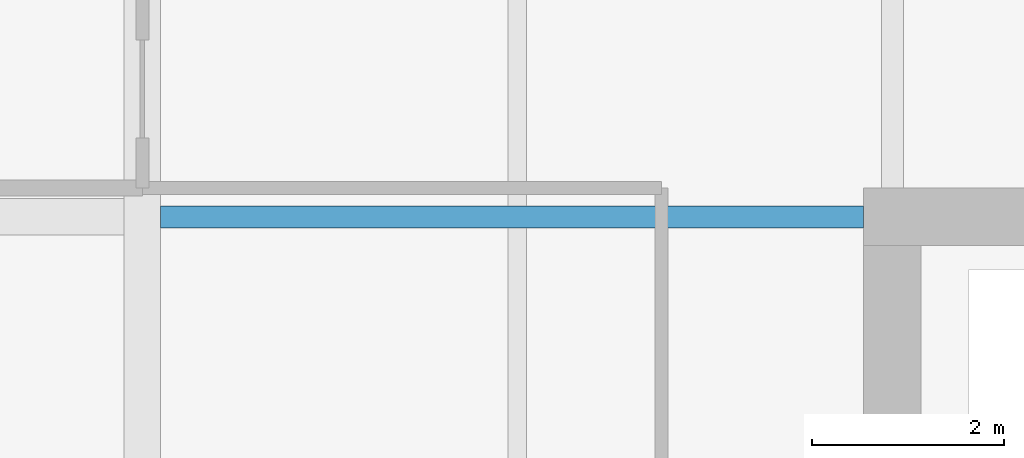
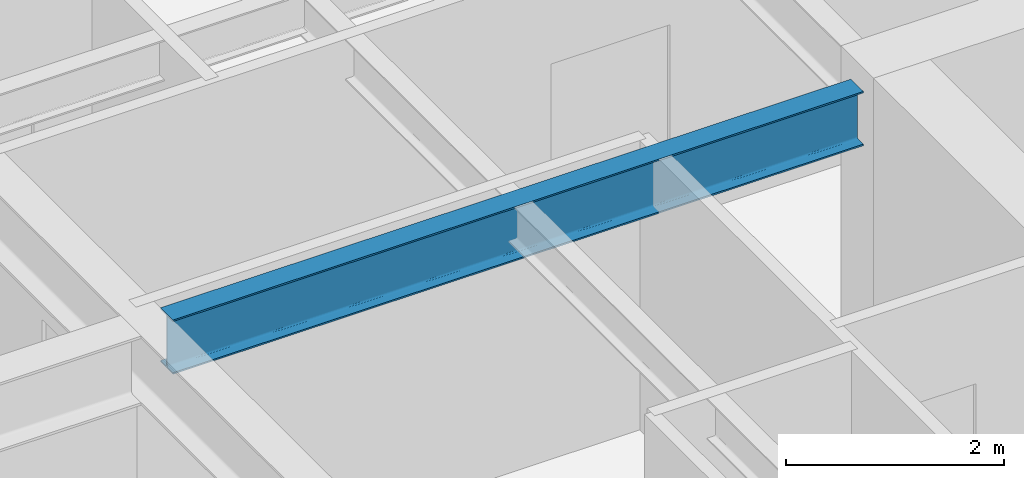
# One storey, part 17 of 34: 1 beam.
"""IFC4 building model written with IfcOpenShell, lengths in metres."""

from ifc_helpers import new_model, si_unit, direction, frame, origin, origin_2d, place, context, subcontext, project, spatial, i_section, extrude, material, material_profile, profile_set, type_object, element, save


model = new_model("IFC4")

# Units and contexts
model_context = context("Model", 3, precision=1e-05, world=origin(), true_north=direction((0.0, 1.0)))
body_context = subcontext(model_context, "Body", "Model", "MODEL_VIEW")
ifc_project = project(units=[si_unit("LENGTHUNIT", "METRE"), si_unit("AREAUNIT", "SQUARE_METRE"), si_unit("VOLUMEUNIT", "CUBIC_METRE"), si_unit("PLANEANGLEUNIT", "RADIAN"), si_unit("MASSUNIT", "GRAM", prefix="KILO")], contexts=[model_context])

# Site, building, storey
site_placement = place(None, origin())
site = spatial("IfcSite", under=ifc_project, at=site_placement, CompositionType="ELEMENT")
building_placement = place(site_placement, origin())
building = spatial("IfcBuilding", under=site, at=building_placement, Name="Drelvath Grand Hotel", CompositionType="ELEMENT")
storey_placement = place(building_placement, frame((0.0, 0.0, 116.300048828125)))
storey = spatial("IfcBuildingStorey", under=building, at=storey_placement, Name="L29", CompositionType="ELEMENT", Elevation=116.300048828125)

# Beam
ifc_material = material(Name="Steel ASTM A992 Gr 50", Category="steel")
ifc_material_profile = material_profile(ifc_material, i_section(OverallWidth=0.228271484375, OverallDepth=0.607666015625, WebThickness=0.01123046875, FlangeThickness=0.017333984375, FilletRadius=0.02001953125, at=origin_2d()), Name="W24X76")
ifc_profile_set = profile_set([ifc_material_profile], Name="Steel ASTM A992 Gr 50")
beam_type = type_object("IfcBeamType", Name="Primary Floor Girder W24X76", PredefinedType="BEAM", material=ifc_profile_set)
beam_placement = place(storey_placement, frame((-16.009765625, 35.39990234375, 2.93603515625), z_axis=(1.0, 0.0, 0.0), x_axis=(0.0, 1.0, 0.0)))
element("IfcBeam", 1, at=beam_placement, inside=storey, type_object=beam_type, Name="L29 West Core Tie F", PredefinedType="BEAM", context=body_context, shape_type="SweptSolid", body=[
    extrude(i_section(OverallWidth=0.228271484375, OverallDepth=0.607666015625, WebThickness=0.01123046875, FlangeThickness=0.017333984375, FilletRadius=0.02001953125, at=origin_2d()), origin(), (0.0, 0.0, 1.0), 7.309814453125),
])

save(model, "model.ifc")
